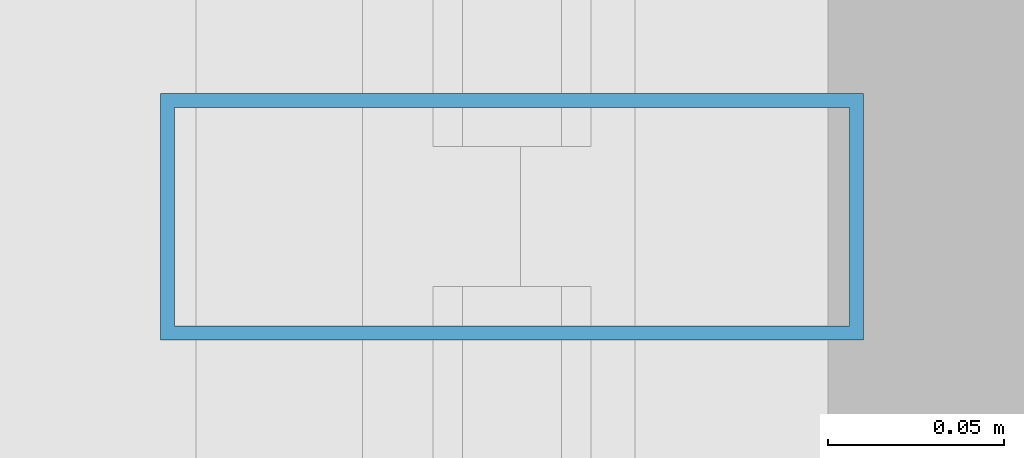
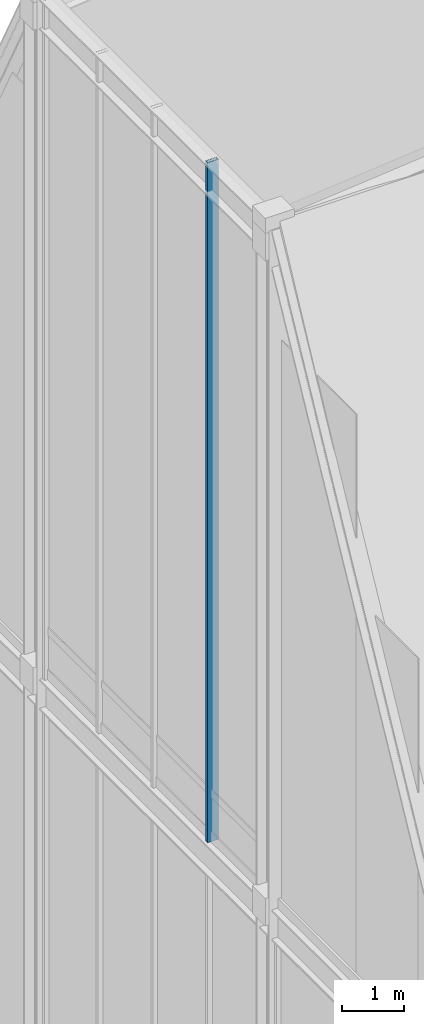
# One storey, part 7 of 49: 1 member, 1 element without a shape of its own.
"""IFC4 building model written with IfcOpenShell, lengths in metres."""

from ifc_helpers import new_model, si_unit, direction, frame, origin, origin_2d, place, context, subcontext, project, spatial, hollow_rectangle, extrude, source, transform, mapped, material, layer, layer_set, material_profile, profile_set, type_object, element, aggregate, save


model = new_model("IFC4")

# Units and contexts
model_context = context("Model", 3, precision=1e-05, world=origin(), true_north=direction((0.0, 1.0)))
body_context = subcontext(model_context, "Body", "Model", "MODEL_VIEW")
ifc_project = project(units=[si_unit("LENGTHUNIT", "METRE"), si_unit("AREAUNIT", "SQUARE_METRE"), si_unit("VOLUMEUNIT", "CUBIC_METRE"), si_unit("PLANEANGLEUNIT", "RADIAN"), si_unit("MASSUNIT", "GRAM", prefix="KILO")], contexts=[model_context])

# Site, building, storey
site_placement = place(None, origin())
site = spatial("IfcSite", under=ifc_project, at=site_placement, CompositionType="ELEMENT")
building_placement = place(site_placement, origin())
building = spatial("IfcBuilding", under=site, at=building_placement, Name="Kaliganga Portal Commons", CompositionType="ELEMENT")
storey_placement = place(building_placement, frame((0.0, 0.0, 298.0)))
storey = spatial("IfcBuildingStorey", under=building, at=storey_placement, Name="L77", CompositionType="ELEMENT", Elevation=298.0)

# Curtain wall, member
ifc_material_1 = material(Name="Anodized Aluminium and Laminated Low-E Glass", Category="aluminium")
ifc_layer = layer(ifc_material_1, 0.25)
ifc_layer_set = layer_set([ifc_layer], Name="Anodized Aluminium and Laminated Low-E Glass")
curtain_wall_type = type_object("IfcCurtainWallType", Name="CW-SYS-06", PredefinedType="NOTDEFINED", material=ifc_layer_set)
curtain_wall_placement = place(storey_placement, origin())
curtain_wall = element("IfcCurtainWall", 1, at=curtain_wall_placement, inside=storey, type_object=curtain_wall_type, Name="CW 06 L77 WU", PredefinedType="NOTDEFINED")
ifc_material_2 = material(Name="Dark Bronze Anodized Aluminium", Category="aluminium")
ifc_material_profile = material_profile(ifc_material_2, hollow_rectangle(XDim=0.070068359375, YDim=0.199951171875, WallThickness=0.00390625, at=origin_2d()), Name="ALU MULL 70x200x4")
ifc_profile_set = profile_set([ifc_material_profile], Name="Dark Bronze Anodized Aluminium")
member_type = type_object("IfcMemberType", Name="CW-MUL-220", PredefinedType="MULLION", material=ifc_profile_set)
shared_shape = source(origin(), body_context, "Body", "SweptSolid", [
    extrude(hollow_rectangle(XDim=0.070068359375, YDim=0.199951171875, WallThickness=0.00390625, at=origin_2d()), origin(), (0.0, 0.0, 1.0), 13.409912109375),
])
member_placement = place(storey_placement, frame((14.39990234375, 30.6298828125, 21.0), z_axis=(0.0, 0.0, 1.0), x_axis=(0.0, 1.0, 0.0)))
member = element("IfcMember", 2, at=member_placement, type_object=member_type, Name="CW:06:L77:WU Mullion 01", PredefinedType="MULLION", context=body_context, shape_type="MappedRepresentation", body=[
    mapped(shared_shape, transform((0.0, 0.0, 0.0), x_axis=(1.0, 0.0, 0.0), y_axis=(0.0, 1.0, 0.0), z_axis=(0.0, 0.0, 1.0), scale=1.0)),
])
aggregate(curtain_wall, [member])

save(model, "model.ifc")
